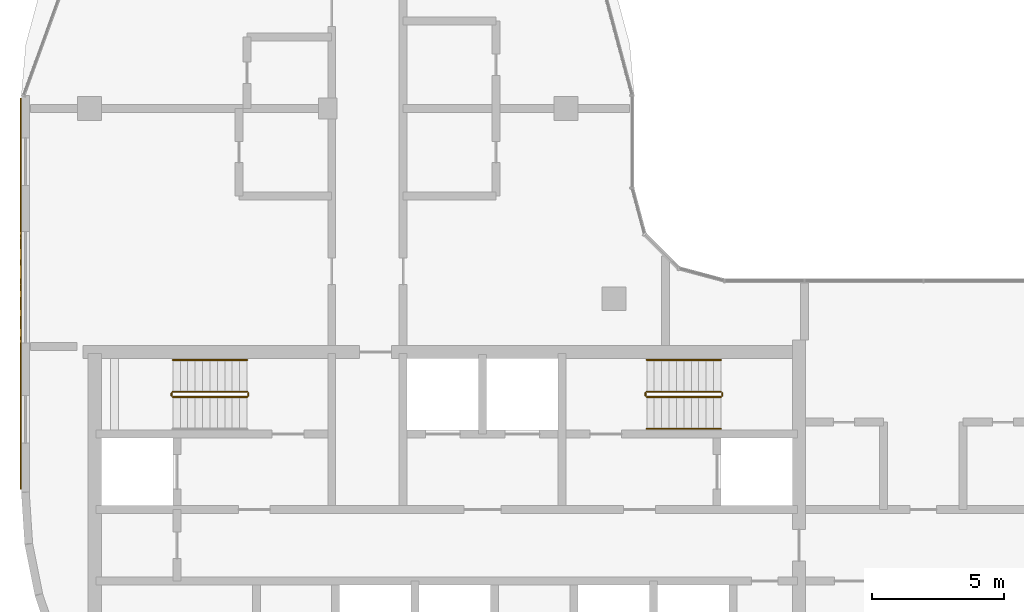
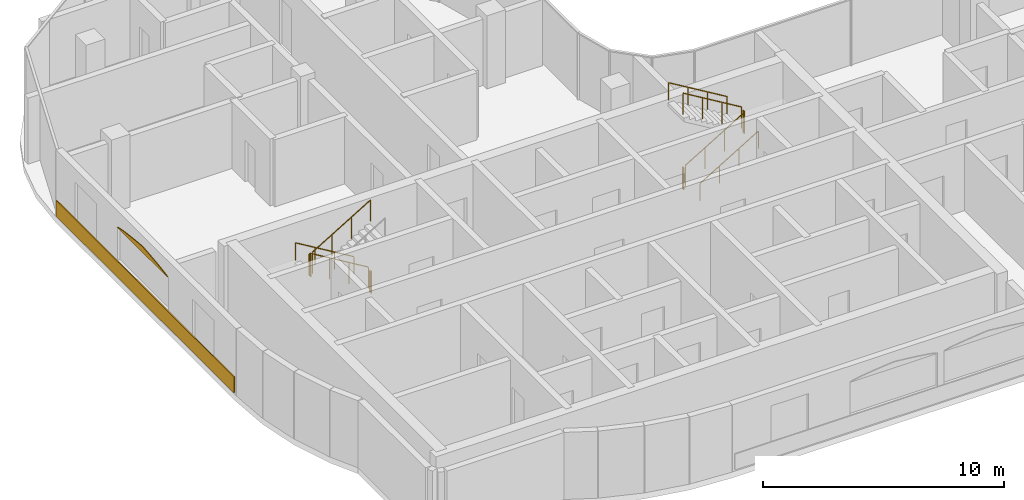
# One storey, part 16 of 18: 11 railings, 2 coverings.
"""IFC4 building model written with IfcOpenShell, lengths in metres."""

from ifc_helpers import new_model, si_unit, direction, frame, origin, origin_2d, place, context, subcontext, project, spatial, polyline, rectangle, circle, outline, extrude, material, layer, layer_set, type_object, element, save


model = new_model("IFC4")

# Units and contexts
model_context = context("Model", 3, precision=1e-05, world=origin(), true_north=direction((0.0, 1.0)))
body_context = subcontext(model_context, "Body", "Model", "MODEL_VIEW")
ifc_project = project(units=[si_unit("LENGTHUNIT", "METRE"), si_unit("AREAUNIT", "SQUARE_METRE"), si_unit("VOLUMEUNIT", "CUBIC_METRE"), si_unit("PLANEANGLEUNIT", "RADIAN"), si_unit("MASSUNIT", "GRAM", prefix="KILO")], contexts=[model_context])

# Site, building, storey
site_placement = place(None, origin())
site = spatial("IfcSite", under=ifc_project, at=site_placement, CompositionType="ELEMENT")
building_placement = place(site_placement, origin())
building = spatial("IfcBuilding", under=site, at=building_placement, Name="Ogive Portal Towers", CompositionType="ELEMENT")
storey_placement = place(building_placement, frame((0.0, 0.0, 240.199951171875)))
storey = spatial("IfcBuildingStorey", under=building, at=storey_placement, Name="L60", CompositionType="ELEMENT", Elevation=240.199951171875)

# Railings
ifc_material_1 = material(Name="Stainless steel balustrade", Category="steel")
railing_type_1 = type_object("IfcRailingType", Name="INT-GUARD", PredefinedType="GUARDRAIL", material=ifc_material_1)
railing_1_placement = place(storey_placement, frame((37.449951171875, 37.800048828125, 0.168212890625)))
element("IfcRailing", 1, at=railing_1_placement, inside=storey, type_object=railing_type_1, Name="L60 ST-A1 stair guard 1", PredefinedType="GUARDRAIL", context=body_context, shape_type="SweptSolid", body=[
    extrude(circle(Radius=0.02392578125, at=origin_2d()), frame((0.0, 0.0, 1.076171875), z_axis=(-0.857242210791, 0.0, 0.514913383045), x_axis=(0.0, -1.0, 0.0)), (0.0, 0.0, 1.0), 3.266357421875),
    extrude(circle(Radius=0.02099609375, at=origin_2d()), origin(), (0.0, 0.0, 1.0), 1.052001953125),
    extrude(circle(Radius=0.02099609375, at=origin_2d()), frame((-0.933349609375, 0.0, 0.560546875)), (0.0, 0.0, 1.0), 1.052001953125),
    extrude(circle(Radius=0.02099609375, at=origin_2d()), frame((-1.86669921875, 0.0, 1.121337890625)), (0.0, 0.0, 1.0), 1.052001953125),
    extrude(circle(Radius=0.02099609375, at=origin_2d()), frame((-2.800048828125, 0.0, 1.681884765625)), (0.0, 0.0, 1.0), 1.052001953125),
])
railing_2_placement = place(storey_placement, frame((34.60009765625, 37.75, 1.85009765625)))
element("IfcRailing", 2, at=railing_2_placement, inside=storey, type_object=railing_type_1, Name="L60 ST-A1 stair guard 2", PredefinedType="GUARDRAIL", context=body_context, shape_type="SweptSolid", body=[
    extrude(circle(Radius=0.02392578125, at=origin_2d()), frame((0.0, 0.0, 1.076171875), z_axis=(0.0, -1.0, 0.0), x_axis=(1.0, 0.0, 0.0)), (0.0, 0.0, 1.0), 0.10009765625),
    extrude(circle(Radius=0.02099609375, at=origin_2d()), origin(), (0.0, 0.0, 1.0), 1.052001953125),
    extrude(circle(Radius=0.02099609375, at=origin_2d()), frame((0.0, -0.10009765625, 0.0)), (0.0, 0.0, 1.0), 1.052001953125),
])
railing_3_placement = place(storey_placement, frame((34.64990234375, 37.60009765625, 2.018310546875)))
element("IfcRailing", 3, at=railing_3_placement, inside=storey, type_object=railing_type_1, Name="L60 ST-A1 stair guard 3", PredefinedType="GUARDRAIL", context=body_context, shape_type="SweptSolid", body=[
    extrude(circle(Radius=0.02392578125, at=origin_2d()), frame((0.0, 0.0, 1.076171875), z_axis=(0.857275202839, 0.0, 0.514858452973), x_axis=(0.0, 1.0, 0.0)), (0.0, 0.0, 1.0), 3.26611328125),
    extrude(circle(Radius=0.02099609375, at=origin_2d()), origin(), (0.0, 0.0, 1.0), 1.052001953125),
    extrude(circle(Radius=0.02099609375, at=origin_2d()), frame((0.933349609375, 0.0, 0.560546875)), (0.0, 0.0, 1.0), 1.052001953125),
    extrude(circle(Radius=0.02099609375, at=origin_2d()), frame((1.86669921875, 0.0, 1.12109375)), (0.0, 0.0, 1.0), 1.052001953125),
    extrude(circle(Radius=0.02099609375, at=origin_2d()), frame((2.800048828125, 0.0, 1.681640625)), (0.0, 0.0, 1.0), 1.052001953125),
])
railing_4_placement = place(storey_placement, frame((37.5, 37.75, 0.0)))
element("IfcRailing", 4, at=railing_4_placement, inside=storey, type_object=railing_type_1, Name="L60 ST-A1 stair guard 4", PredefinedType="GUARDRAIL", context=body_context, shape_type="SweptSolid", body=[
    extrude(circle(Radius=0.02392578125, at=origin_2d()), frame((0.0, 0.0, 1.076171875), z_axis=(0.0, -1.0, 0.0), x_axis=(1.0, 0.0, 0.0)), (0.0, 0.0, 1.0), 0.10009765625),
    extrude(circle(Radius=0.02099609375, at=origin_2d()), origin(), (0.0, 0.0, 1.0), 1.052001953125),
    extrude(circle(Radius=0.02099609375, at=origin_2d()), frame((0.0, -0.10009765625, 0.0)), (0.0, 0.0, 1.0), 1.052001953125),
])
railing_5_placement = place(storey_placement, frame((52.550048828125, 37.60009765625, 0.168212890625)))
element("IfcRailing", 5, at=railing_5_placement, inside=storey, type_object=railing_type_1, Name="L60 ST-A2 stair guard 1", PredefinedType="GUARDRAIL", context=body_context, shape_type="SweptSolid", body=[
    extrude(circle(Radius=0.02392578125, at=origin_2d()), frame((0.0, 0.0, 1.076171875), z_axis=(0.857242210791, 0.0, 0.514913383045), x_axis=(0.0, 1.0, 0.0)), (0.0, 0.0, 1.0), 3.266357421875),
    extrude(circle(Radius=0.02099609375, at=origin_2d()), origin(), (0.0, 0.0, 1.0), 1.052001953125),
    extrude(circle(Radius=0.02099609375, at=origin_2d()), frame((0.933349609375, 0.0, 0.560546875)), (0.0, 0.0, 1.0), 1.052001953125),
    extrude(circle(Radius=0.02099609375, at=origin_2d()), frame((1.86669921875, 0.0, 1.121337890625)), (0.0, 0.0, 1.0), 1.052001953125),
    extrude(circle(Radius=0.02099609375, at=origin_2d()), frame((2.800048828125, 0.0, 1.681884765625)), (0.0, 0.0, 1.0), 1.052001953125),
])
railing_6_placement = place(storey_placement, frame((55.39990234375, 37.64990234375, 1.85009765625)))
element("IfcRailing", 6, at=railing_6_placement, inside=storey, type_object=railing_type_1, Name="L60 ST-A2 stair guard 2", PredefinedType="GUARDRAIL", context=body_context, shape_type="SweptSolid", body=[
    extrude(circle(Radius=0.02392578125, at=origin_2d()), frame((0.0, 0.0, 1.076171875), z_axis=(0.0, 1.0, 0.0), x_axis=(-1.0, 0.0, 0.0)), (0.0, 0.0, 1.0), 0.10009765625),
    extrude(circle(Radius=0.02099609375, at=origin_2d()), origin(), (0.0, 0.0, 1.0), 1.052001953125),
    extrude(circle(Radius=0.02099609375, at=origin_2d()), frame((0.0, 0.10009765625, 0.0)), (0.0, 0.0, 1.0), 1.052001953125),
])
railing_7_placement = place(storey_placement, frame((55.35009765625, 37.800048828125, 2.018310546875)))
element("IfcRailing", 7, at=railing_7_placement, inside=storey, type_object=railing_type_1, Name="L60 ST-A2 stair guard 3", PredefinedType="GUARDRAIL", context=body_context, shape_type="SweptSolid", body=[
    extrude(circle(Radius=0.02392578125, at=origin_2d()), frame((0.0, 0.0, 1.076171875), z_axis=(-0.857275202839, 0.0, 0.514858452973), x_axis=(0.0, -1.0, 0.0)), (0.0, 0.0, 1.0), 3.26611328125),
    extrude(circle(Radius=0.02099609375, at=origin_2d()), origin(), (0.0, 0.0, 1.0), 1.052001953125),
    extrude(circle(Radius=0.02099609375, at=origin_2d()), frame((-0.933349609375, 0.0, 0.560546875)), (0.0, 0.0, 1.0), 1.052001953125),
    extrude(circle(Radius=0.02099609375, at=origin_2d()), frame((-1.86669921875, 0.0, 1.12109375)), (0.0, 0.0, 1.0), 1.052001953125),
    extrude(circle(Radius=0.02099609375, at=origin_2d()), frame((-2.800048828125, 0.0, 1.681640625)), (0.0, 0.0, 1.0), 1.052001953125),
])
railing_8_placement = place(storey_placement, frame((52.5, 37.64990234375, 0.0)))
element("IfcRailing", 8, at=railing_8_placement, inside=storey, type_object=railing_type_1, Name="L60 ST-A2 stair guard 4", PredefinedType="GUARDRAIL", context=body_context, shape_type="SweptSolid", body=[
    extrude(circle(Radius=0.02392578125, at=origin_2d()), frame((0.0, 0.0, 1.076171875), z_axis=(0.0, 1.0, 0.0), x_axis=(-1.0, 0.0, 0.0)), (0.0, 0.0, 1.0), 0.10009765625),
    extrude(circle(Radius=0.02099609375, at=origin_2d()), origin(), (0.0, 0.0, 1.0), 1.052001953125),
    extrude(circle(Radius=0.02099609375, at=origin_2d()), frame((0.0, 0.10009765625, 0.0)), (0.0, 0.0, 1.0), 1.052001953125),
])
ifc_material_2 = material(Name="Stainless steel handrail", Category="steel")
railing_type_2 = type_object("IfcRailingType", Name="INT-HANDRAIL", PredefinedType="HANDRAIL", material=ifc_material_2)
railing_9_placement = place(storey_placement, frame((37.449951171875, 39.0, 0.168212890625)))
element("IfcRailing", 9, at=railing_9_placement, inside=storey, type_object=railing_type_2, Name="L60 ST-A1 stair handrail 1", PredefinedType="HANDRAIL", context=body_context, shape_type="SweptSolid", body=[
    extrude(circle(Radius=0.02392578125, at=origin_2d()), frame((0.0, 0.0, 0.8759765625), z_axis=(-0.857242210791, 0.0, 0.514913383045), x_axis=(0.0, -1.0, 0.0)), (0.0, 0.0, 1.0), 3.266357421875),
    extrude(circle(Radius=0.02099609375, at=origin_2d()), origin(), (0.0, 0.0, 1.0), 0.851806640625),
    extrude(circle(Radius=0.02099609375, at=origin_2d()), frame((-0.933349609375, 0.0, 0.560546875)), (0.0, 0.0, 1.0), 0.851806640625),
    extrude(circle(Radius=0.02099609375, at=origin_2d()), frame((-1.86669921875, 0.0, 1.121337890625)), (0.0, 0.0, 1.0), 0.851806640625),
    extrude(circle(Radius=0.02099609375, at=origin_2d()), frame((-2.800048828125, 0.0, 1.681884765625)), (0.0, 0.0, 1.0), 0.851806640625),
])
railing_10_placement = place(storey_placement, frame((52.550048828125, 36.39990234375, 0.168212890625)))
element("IfcRailing", 10, at=railing_10_placement, inside=storey, type_object=railing_type_2, Name="L60 ST-A2 stair handrail 1", PredefinedType="HANDRAIL", context=body_context, shape_type="SweptSolid", body=[
    extrude(circle(Radius=0.02392578125, at=origin_2d()), frame((0.0, 0.0, 0.8759765625), z_axis=(0.857242210791, 0.0, 0.514913383045), x_axis=(0.0, 1.0, 0.0)), (0.0, 0.0, 1.0), 3.266357421875),
    extrude(circle(Radius=0.02099609375, at=origin_2d()), origin(), (0.0, 0.0, 1.0), 0.851806640625),
    extrude(circle(Radius=0.02099609375, at=origin_2d()), frame((0.933349609375, 0.0, 0.560546875)), (0.0, 0.0, 1.0), 0.851806640625),
    extrude(circle(Radius=0.02099609375, at=origin_2d()), frame((1.86669921875, 0.0, 1.121337890625)), (0.0, 0.0, 1.0), 0.851806640625),
    extrude(circle(Radius=0.02099609375, at=origin_2d()), frame((2.800048828125, 0.0, 1.681884765625)), (0.0, 0.0, 1.0), 0.851806640625),
])
railing_11_placement = place(storey_placement, frame((55.35009765625, 39.0, 2.018310546875)))
element("IfcRailing", 11, at=railing_11_placement, inside=storey, type_object=railing_type_2, Name="L60 ST-A2 stair handrail 2", PredefinedType="HANDRAIL", context=body_context, shape_type="SweptSolid", body=[
    extrude(circle(Radius=0.02392578125, at=origin_2d()), frame((0.0, 0.0, 0.8759765625), z_axis=(-0.857275202839, 0.0, 0.514858452973), x_axis=(0.0, -1.0, 0.0)), (0.0, 0.0, 1.0), 3.26611328125),
    extrude(circle(Radius=0.02099609375, at=origin_2d()), origin(), (0.0, 0.0, 1.0), 0.851806640625),
    extrude(circle(Radius=0.02099609375, at=origin_2d()), frame((-0.933349609375, 0.0, 0.560546875)), (0.0, 0.0, 1.0), 0.851806640625),
    extrude(circle(Radius=0.02099609375, at=origin_2d()), frame((-1.86669921875, 0.0, 1.12109375)), (0.0, 0.0, 1.0), 0.851806640625),
    extrude(circle(Radius=0.02099609375, at=origin_2d()), frame((-2.800048828125, 0.0, 1.681640625)), (0.0, 0.0, 1.0), 0.851806640625),
])

# Coverings
ifc_material_3 = material(Name="Limestone cladding on lightweight block wall", Category="masonry")
ifc_layer_1 = layer(ifc_material_3, 0.0400390625)
ifc_layer_set_1 = layer_set([ifc_layer_1], Name="LANCET HEAD STONE")
covering_type_1 = type_object("IfcCoveringType", Name="LANCET HEAD STONE", PredefinedType="CLADDING", material=ifc_layer_set_1)
covering_1_placement = place(storey_placement, frame((28.925048828125, 43.85009765625, 2.60009765625), z_axis=(0.99994891279, 0.0, 0.010108007188), x_axis=(0.0, -1.0, 0.0)))
element("IfcCovering", 12, at=covering_1_placement, inside=storey, type_object=covering_type_1, Name="Lancet head", PredefinedType="CLADDING", context=body_context, shape_type="SweptSolid", body=[
    extrude(outline(polyline([(0.0, 0.0), (4.2001953125, 0.0), (4.107177734375, -0.037356542888502466), (3.9375, -0.0749547461543492), (3.7177734375, -0.1125554171953884), (3.45751953125, -0.1499094923086984), (3.162353515625, -0.1875101633497376), (2.836181640625, -0.22486423846304765), (2.481201171875, -0.26246490950408685), (2.10009765625, -0.3000631127699335), (1.718994140625, -0.26246490950408685), (1.364013671875, -0.22486423846304765), (1.037841796875, -0.1875101633497376), (0.74267578125, -0.1499094923086984), (0.482421875, -0.1125554171953884), (0.2626953125, -0.0749547461543492), (0.093017578125, -0.037356542888502466), (0.0, 0.0)])), origin(), (0.0, 0.0, -1.0), 0.0400390625),
])
ifc_layer_2 = layer(ifc_material_3, 0.050048828125)
ifc_layer_set_2 = layer_set([ifc_layer_2], Name="SCREEN PERFORATED STONE")
covering_type_2 = type_object("IfcCoveringType", Name="SCREEN PERFORATED STONE", PredefinedType="CLADDING", material=ifc_layer_set_2)
covering_2_placement = place(storey_placement, frame((28.89990234375, 41.497802734375, 0.10009765625), z_axis=(0.0, 0.0, 1.0), x_axis=(0.0, -1.0, 0.0)))
element("IfcCovering", 13, at=covering_2_placement, inside=storey, type_object=covering_type_2, Name="Tracery screen", PredefinedType="CLADDING", context=body_context, shape_type="SweptSolid", body=[
    extrude(rectangle(XDim=14.776123046875, YDim=0.050048828125, at=origin_2d()), origin(), (0.0, 0.0, 1.0), 0.800048828125),
])

save(model, "model.ifc")
